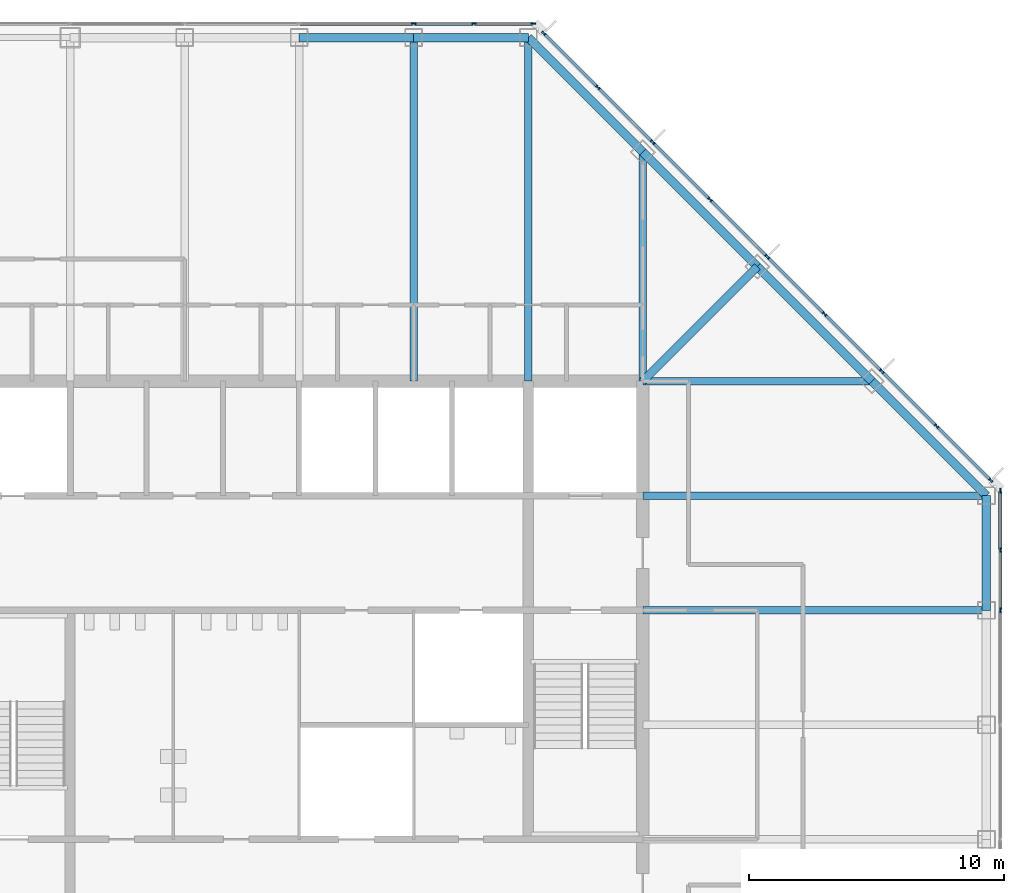
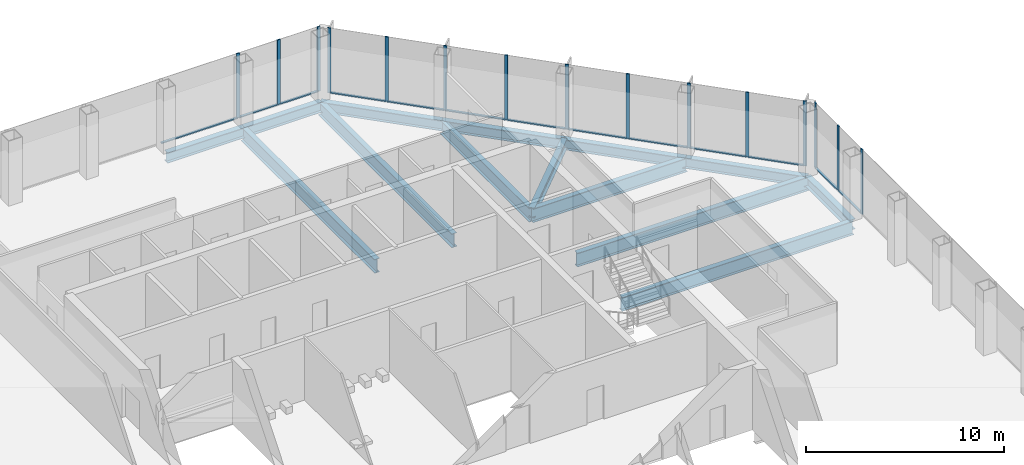
# One storey, part 6 of 12: 28 members, 14 beams, 3 elements without a shape of their own.
"""IFC4 building model written with IfcOpenShell, lengths in metres."""

import ifcopenshell
import ifcopenshell.guid

model = None  # the IFC model being written
_history = None  # IfcOwnerHistory: only IFC2X3 demands one
_inside = {}  # id of a spatial element -> (the spatial element, [elements in it])
_under = {}  # id of a project, library or spatial element -> (it, [spatial elements below it])
_declared = {}  # id of a project -> (the project, [libraries it declares])
_typed = {}  # id of a type object -> (the type object, [elements of that type])
_made_of = {}  # id of a material, layer set ... -> (it, [elements and type objects made of it])


def new_model(schema):
    """Start an empty IFC model of exactly this schema.

    Asked for "IFC4X3", IfcOpenShell would pick the latest addendum, in which some entities
    have other attributes; the version numbers below select the first issue.
    IFC2X3 requires an IfcOwnerHistory on every rooted entity: one is made here for all.
    """
    global model, _history
    if schema == "IFC4X3":
        model = ifcopenshell.file(schema_version=(4, 3, 0, 0))
    else:
        model = ifcopenshell.file(schema=schema)
    _inside.clear()
    _under.clear()
    _declared.clear()
    _typed.clear()
    _made_of.clear()
    _history = None
    if model.schema == "IFC2X3":
        org = make("IfcOrganization", Name="unknown")
        user = make(
            "IfcPersonAndOrganization",
            ThePerson=make("IfcPerson", FamilyName="unknown"),
            TheOrganization=org,
        )
        app = make(
            "IfcApplication",
            ApplicationDeveloper=org,
            Version="unknown",
            ApplicationFullName="unknown",
            ApplicationIdentifier="unknown",
        )
        _history = make(
            "IfcOwnerHistory",
            OwningUser=user,
            OwningApplication=app,
            ChangeAction="ADDED",
            CreationDate=0,
        )
    return model


def make(cls, **values):
    """One entity of the class cls with the attributes given. An attribute that is None is left unset."""
    return model.create_entity(
        cls, **{name: value for name, value in values.items() if value is not None}
    )


def rooted(cls, **values):
    """An entity with a GlobalId (a new one), such as an element, a storey or a relation."""
    return make(cls, GlobalId=ifcopenshell.guid.new(), OwnerHistory=_history, **values)


def si_unit(unit_type, name, prefix=None):
    """IfcSIUnit, for example si_unit("LENGTHUNIT", "METRE", prefix="MILLI")."""
    return make("IfcSIUnit", UnitType=unit_type, Prefix=prefix, Name=name)


def assignment(units):
    """IfcUnitAssignment: the units of a project."""
    return None if units is None else make("IfcUnitAssignment", Units=units)


def point(xyz):
    """IfcCartesianPoint."""
    return None if xyz is None else make("IfcCartesianPoint", Coordinates=xyz)


def direction(xyz):
    """IfcDirection."""
    return None if xyz is None else make("IfcDirection", DirectionRatios=xyz)


def frame(location, z_axis=None, x_axis=None):
    """IfcAxis2Placement3D, a coordinate frame: its origin and axes. An axis left out is left unset."""
    return make(
        "IfcAxis2Placement3D",
        Location=point(location),
        Axis=direction(z_axis),
        RefDirection=direction(x_axis),
    )


def frame_2d(location, x_axis=None):
    """IfcAxis2Placement2D, a coordinate frame in the plane: its origin and x axis."""
    return make(
        "IfcAxis2Placement2D", Location=point(location), RefDirection=direction(x_axis)
    )


def origin():
    """The frame at (0, 0, 0) with its axes left unset."""
    return frame((0.0, 0.0, 0.0))


def origin_2d():
    """The frame at (0, 0) in the plane with its x axis left unset."""
    return frame_2d((0.0, 0.0))


def place(relative_to, where):
    """IfcLocalPlacement: puts the frame where relative to a parent placement (None: the world)."""
    return make(
        "IfcLocalPlacement", PlacementRelTo=relative_to, RelativePlacement=where
    )


def context(
    kind, dimensions, precision=None, world=None, true_north=None, identifier=None
):
    """IfcGeometricRepresentationContext, for example the 3D "Model" context."""
    return make(
        "IfcGeometricRepresentationContext",
        ContextIdentifier=identifier,
        ContextType=kind,
        CoordinateSpaceDimension=dimensions,
        Precision=precision,
        WorldCoordinateSystem=world,
        TrueNorth=true_north,
    )


def subcontext(parent, identifier, kind, view, scale=None):
    """IfcGeometricRepresentationSubContext, for example "Body" below "Model"."""
    return make(
        "IfcGeometricRepresentationSubContext",
        ContextIdentifier=identifier,
        ContextType=kind,
        ParentContext=parent,
        TargetScale=scale,
        TargetView=view,
    )


def project(units=None, contexts=None):
    """IfcProject with its units and contexts."""
    return rooted(
        "IfcProject",
        Name="project",
        RepresentationContexts=contexts,
        UnitsInContext=assignment(units),
    )


def spatial(cls, under=None, at=None, **own):
    """A site, building, storey or space (cls), placed at a placement, below another one or the project."""
    s = rooted(cls, ObjectPlacement=at, **own)
    if under is not None:
        _under.setdefault(under.id(), (under, []))[1].append(s)
    return s


def profile(cls, at=None, kind="AREA", **sizes):
    """A parametric profile (cls). Its sizes go by their IFC names, for example OverallWidth=200.0."""
    return make(cls, ProfileType=kind, Position=at, **sizes)


def rectangle(**sizes):
    """IfcRectangleProfileDef."""
    return profile("IfcRectangleProfileDef", **sizes)


def i_section(**sizes):
    """IfcIShapeProfileDef."""
    return profile("IfcIShapeProfileDef", **sizes)


def extrude(swept, where, along, depth):
    """IfcExtrudedAreaSolid: the profile swept, set in the frame where, extruded along a direction by depth."""
    return make(
        "IfcExtrudedAreaSolid",
        SweptArea=swept,
        Position=where,
        ExtrudedDirection=direction(along),
        Depth=depth,
    )


def shape(context_of_items, identifier, shape_type, items):
    """IfcShapeRepresentation: the items that make up one representation, for example the "Body"."""
    return make(
        "IfcShapeRepresentation",
        ContextOfItems=context_of_items,
        RepresentationIdentifier=identifier,
        RepresentationType=shape_type,
        Items=items,
    )


def material(Name=None, Category=None):
    """IfcMaterial."""
    return make("IfcMaterial", Name=Name, Category=Category)


def material_profile(
    of_material, cross_section, Name=None, Category=None, Priority=None
):
    """IfcMaterialProfile: a cross section and its material."""
    return make(
        "IfcMaterialProfile",
        Name=Name,
        Material=of_material,
        Profile=cross_section,
        Priority=Priority,
        Category=Category,
    )


def profile_set(profiles, Name=None, composite=None):
    """IfcMaterialProfileSet."""
    return make(
        "IfcMaterialProfileSet",
        Name=Name,
        MaterialProfiles=profiles,
        CompositeProfile=composite,
    )


def made_of(thing, what):
    """Note that an element or type object is made of a material, layer set ...; save() writes the relation."""
    if what is not None:
        _made_of.setdefault(what.id(), (what, []))[1].append(thing)
    return thing


def type_object(cls, material=None, **own):
    """A type object (cls), such as IfcWallType, which elements share."""
    return made_of(rooted(cls, **own), material)


def element(
    cls,
    number,
    at=None,
    inside=None,
    cuts=None,
    type_object=None,
    material=None,
    context=None,
    identifier="Body",
    shape_type=None,
    held_by="IfcProductDefinitionShape",
    body=None,
    shapes=None,
    **own,
):
    """One element of the class cls, such as IfcWall. Its Tag is "e" and its number.

    at: its placement. inside: the storey or other place that contains it. cuts: it is an
    opening in that element (IfcRelVoidsElement). A single representation is given by context,
    identifier, shape_type and body (its items); several are given by shapes. held_by: the class
    of the entity that holds the representations. save() writes the other relations.
    """
    e = rooted(cls, Tag="e%d" % number, ObjectPlacement=at, **own)
    if body is not None:
        shapes = [shape(context, identifier, shape_type, body)]
    if shapes is not None:
        e.Representation = make(held_by, Representations=shapes)
    if inside is not None:
        _inside.setdefault(inside.id(), (inside, []))[1].append(e)
    if cuts is not None:
        rooted(
            "IfcRelVoidsElement", RelatingBuildingElement=cuts, RelatedOpeningElement=e
        )
    if type_object is not None:
        _typed.setdefault(type_object.id(), (type_object, []))[1].append(e)
    return made_of(e, material)


def aggregate(whole, parts):
    """IfcRelAggregates: a whole, such as a stair, and the parts it consists of."""
    return rooted("IfcRelAggregates", RelatingObject=whole, RelatedObjects=parts)


def save(model, path):
    """Write the relations noted so far, then the file.

    IfcRelAggregates (storeys below a building ...), IfcRelContainedInSpatialStructure (elements
    in a storey), IfcRelDefinesByType, IfcRelAssociatesMaterial and IfcRelDeclares: one each for
    every whole, place, type object, material and project.
    """
    for whole, parts in _under.values():
        aggregate(whole, parts)
    for where, things in _inside.values():
        rooted(
            "IfcRelContainedInSpatialStructure",
            RelatedElements=things,
            RelatingStructure=where,
        )
    for kind, things in _typed.values():
        rooted("IfcRelDefinesByType", RelatedObjects=things, RelatingType=kind)
    for what, things in _made_of.values():
        rooted("IfcRelAssociatesMaterial", RelatedObjects=things, RelatingMaterial=what)
    for by, libraries in _declared.values():
        rooted("IfcRelDeclares", RelatingContext=by, RelatedDefinitions=libraries)
    model.write(path)


model = new_model("IFC4")

# Units and contexts
model_context = context("Model", 3, precision=1e-05, world=origin(), true_north=direction((0.0, 1.0)))
body_context = subcontext(model_context, "Body", "Model", "MODEL_VIEW")
ifc_project = project(units=[si_unit("LENGTHUNIT", "METRE"), si_unit("AREAUNIT", "SQUARE_METRE"), si_unit("VOLUMEUNIT", "CUBIC_METRE"), si_unit("PLANEANGLEUNIT", "RADIAN"), si_unit("MASSUNIT", "GRAM", prefix="KILO")], contexts=[model_context])

# Site, building, storey
site_placement = place(None, origin())
site = spatial("IfcSite", under=ifc_project, at=site_placement, CompositionType="ELEMENT")
building_placement = place(site_placement, origin())
building = spatial("IfcBuilding", under=site, at=building_placement, Name="Corais Broadcast Tower", CompositionType="ELEMENT")
storey_placement = place(building_placement, frame((0.0, 0.0, 159.60009765625)))
storey = spatial("IfcBuildingStorey", under=building, at=storey_placement, Name="L36", CompositionType="ELEMENT", Elevation=159.60009765625)

# Beams
ifc_material_1 = material(Name="Steel ASTM A572 Grade 50", Category="steel")
ifc_material_profile_1 = material_profile(ifc_material_1, i_section(OverallWidth=0.323974609375, OverallDepth=0.611083984375, WebThickness=0.0126953125, FlangeThickness=0.01904296875, at=origin_2d()), Name="W610x155")
ifc_profile_set_1 = profile_set([ifc_material_profile_1], Name="Steel ASTM A572 Grade 50")
beam_type_1 = type_object("IfcBeamType", Name="Corner diagonal W610x155", PredefinedType="BEAM", material=ifc_profile_set_1)
beam_1_placement = place(storey_placement, frame((45.0, 45.0, -0.465576171875), z_axis=(-0.707106781187, -0.707106781187, 0.0), x_axis=(0.707106781187, -0.707106781187, 0.0)))
element("IfcBeam", 1, at=beam_1_placement, inside=storey, type_object=beam_type_1, Name="B6 L/13 to K/12", PredefinedType="BEAM", context=body_context, shape_type="SweptSolid", body=[
    extrude(i_section(OverallWidth=0.323974609375, OverallDepth=0.611083984375, WebThickness=0.0126953125, FlangeThickness=0.01904296875, at=origin_2d()), origin(), (0.0, 0.0, 1.0), 6.364013671875),
])
ifc_material_2 = material(Name="Steel ASTM A572 Grade 50", Category="steel")
ifc_material_profile_2 = material_profile(ifc_material_2, i_section(OverallWidth=0.2939453125, OverallDepth=0.85107421875, WebThickness=0.01611328125, FlangeThickness=0.02685546875, at=origin_2d()), Name="W840x226")
ifc_profile_set_2 = profile_set([ifc_material_profile_2], Name="Steel ASTM A572 Grade 50")
beam_type_2 = type_object("IfcBeamType", Name="Floor beam W840x226", PredefinedType="BEAM", material=ifc_profile_set_2)
for number, where, z_axis, x_axis, name in (
    (2, (31.5, 54.0, -0.585693359375), (0.0, -1.0, 0.0), (1.0, 0.0, 0.0), "B1 N/10 to K/10"),
    (3, (36.0, 54.0, -0.585693359375), (0.0, -1.0, 0.0), (1.0, 0.0, 0.0), "B1 N/11 to K/11"),
):
    element("IfcBeam", number, at=place(storey_placement, frame(where, z_axis=z_axis, x_axis=x_axis)), inside=storey, type_object=beam_type_2, Name=name, PredefinedType="BEAM", context=body_context, shape_type="SweptSolid", body=[
        extrude(i_section(OverallWidth=0.2939453125, OverallDepth=0.85107421875, WebThickness=0.01611328125, FlangeThickness=0.02685546875, at=origin_2d()), origin(), (0.0, 0.0, 1.0), 13.5),
    ])
for number, where, z_axis, x_axis, name in (
    (4, (40.5, 49.5, -0.585693359375), (0.0, -1.0, 0.0), (1.0, 0.0, 0.0), "B1 M/12 to K/12"),
    (5, (49.5, 40.5, -0.585693359375), (-1.0, 0.0, 0.0), (0.0, -1.0, 0.0), "B1 K/14 to K/12"),
):
    element("IfcBeam", number, at=place(storey_placement, frame(where, z_axis=z_axis, x_axis=x_axis)), inside=storey, type_object=beam_type_2, Name=name, PredefinedType="BEAM", context=body_context, shape_type="SweptSolid", body=[
        extrude(i_section(OverallWidth=0.2939453125, OverallDepth=0.85107421875, WebThickness=0.01611328125, FlangeThickness=0.02685546875, at=origin_2d()), origin(), (0.0, 0.0, 1.0), 9.0),
    ])
for number, where, z_axis, x_axis, name in (
    (6, (54.0, 31.5, -0.585693359375), (-1.0, 0.0, 0.0), (0.0, -1.0, 0.0), "B1 H/15 to H/12"),
    (7, (54.0, 36.0, -0.585693359375), (-1.0, 0.0, 0.0), (0.0, -1.0, 0.0), "B1 J/15 to J/12"),
):
    element("IfcBeam", number, at=place(storey_placement, frame(where, z_axis=z_axis, x_axis=x_axis)), inside=storey, type_object=beam_type_2, Name=name, PredefinedType="BEAM", context=body_context, shape_type="SweptSolid", body=[
        extrude(i_section(OverallWidth=0.2939453125, OverallDepth=0.85107421875, WebThickness=0.01611328125, FlangeThickness=0.02685546875, at=origin_2d()), origin(), (0.0, 0.0, 1.0), 13.5),
    ])

# Curtain wall, members
ifc_material_3 = material(Name="Aluminium and glass", Category="aluminium")
curtain_wall_type = type_object("IfcCurtainWallType", Name="Unitised fritted curtain wall CW2", PredefinedType="NOTDEFINED", material=ifc_material_3)
curtain_wall_1_placement = place(storey_placement, origin())
curtain_wall_1 = element("IfcCurtainWall", 8, at=curtain_wall_1_placement, inside=storey, type_object=curtain_wall_type, Name="CW2 curtain wall L36 4", PredefinedType="NOTDEFINED")
ifc_material_4 = material(Name="Aluminium 6063-T6", Category="aluminium")
ifc_material_profile_3 = material_profile(ifc_material_4, rectangle(XDim=0.06494140625, YDim=0.179931640625, at=origin_2d()), Name="Mullion CW2 65x180")
ifc_profile_set_3 = profile_set([ifc_material_profile_3], Name="Aluminium 6063-T6")
member_type_1 = type_object("IfcMemberType", Name="Mullion CW2 65x180", PredefinedType="MULLION", material=ifc_profile_set_3)
member_1_placement = place(storey_placement, frame((31.5, 54.550048828125, 0.0), z_axis=(0.0, 0.0, 1.0), x_axis=(0.0, 1.0, 0.0)))
member_1 = element("IfcMember", 9, at=member_1_placement, type_object=member_type_1, Name="CW2 mullion 7", PredefinedType="MULLION", context=body_context, shape_type="SweptSolid", body=[
    extrude(rectangle(XDim=0.06494140625, YDim=0.179931640625, at=origin_2d()), origin(), (0.0, 0.0, 1.0), 4.0),
])
member_2_placement = place(storey_placement, frame((33.864013671875, 54.550048828125, 0.0), z_axis=(0.0, 0.0, 1.0), x_axis=(0.0, 1.0, 0.0)))
member_2 = element("IfcMember", 10, at=member_2_placement, type_object=member_type_1, Name="CW2 mullion 8", PredefinedType="MULLION", context=body_context, shape_type="SweptSolid", body=[
    extrude(rectangle(XDim=0.06494140625, YDim=0.179931640625, at=origin_2d()), origin(), (0.0, 0.0, 1.0), 4.0),
])
member_3_placement = place(storey_placement, frame((36.1953125, 54.550048828125, 0.0), z_axis=(0.0, 0.0, 1.0), x_axis=(0.0, 1.0, 0.0)))
member_3 = element("IfcMember", 11, at=member_3_placement, type_object=member_type_1, Name="CW2 mullion 9", PredefinedType="MULLION", context=body_context, shape_type="SweptSolid", body=[
    extrude(rectangle(XDim=0.06494140625, YDim=0.179931640625, at=origin_2d()), origin(), (0.0, 0.0, 1.0), 4.0),
])

curtain_wall_2_placement = place(storey_placement, origin())
curtain_wall_2 = element("IfcCurtainWall", 12, at=curtain_wall_2_placement, inside=storey, type_object=curtain_wall_type, Name="CW2 curtain wall L36 5", PredefinedType="NOTDEFINED")
member_4_placement = place(storey_placement, frame((36.6044921875, 54.17333984375, 0.0), z_axis=(0.0, 0.0, 1.0), x_axis=(0.707106781187, 0.707106781187, 0.0)))
member_4 = element("IfcMember", 13, at=member_4_placement, type_object=member_type_1, Name="CW2 mullion 1", PredefinedType="MULLION", context=body_context, shape_type="SweptSolid", body=[
    extrude(rectangle(XDim=0.06494140625, YDim=0.179931640625, at=origin_2d()), origin(), (0.0, 0.0, 1.0), 4.0),
])
member_5_placement = place(storey_placement, frame((38.735107421875, 52.042724609375, 0.0), z_axis=(0.0, 0.0, 1.0), x_axis=(0.707106781187, 0.707106781187, 0.0)))
member_5 = element("IfcMember", 14, at=member_5_placement, type_object=member_type_1, Name="CW2 mullion 2", PredefinedType="MULLION", context=body_context, shape_type="SweptSolid", body=[
    extrude(rectangle(XDim=0.06494140625, YDim=0.179931640625, at=origin_2d()), origin(), (0.0, 0.0, 1.0), 4.0),
])
member_6_placement = place(storey_placement, frame((40.888916015625, 49.888916015625, 0.0), z_axis=(0.0, 0.0, 1.0), x_axis=(0.707106781187, 0.707106781187, 0.0)))
member_6 = element("IfcMember", 15, at=member_6_placement, type_object=member_type_1, Name="CW2 mullion 3", PredefinedType="MULLION", context=body_context, shape_type="SweptSolid", body=[
    extrude(rectangle(XDim=0.06494140625, YDim=0.179931640625, at=origin_2d()), origin(), (0.0, 0.0, 1.0), 4.0),
])
member_7_placement = place(storey_placement, frame((43.138916015625, 47.638916015625, 0.0), z_axis=(0.0, 0.0, 1.0), x_axis=(0.707106781187, 0.707106781187, 0.0)))
member_7 = element("IfcMember", 16, at=member_7_placement, type_object=member_type_1, Name="CW2 mullion 4", PredefinedType="MULLION", context=body_context, shape_type="SweptSolid", body=[
    extrude(rectangle(XDim=0.06494140625, YDim=0.179931640625, at=origin_2d()), origin(), (0.0, 0.0, 1.0), 4.0),
])
member_8_placement = place(storey_placement, frame((45.388916015625, 45.388916015625, 0.0), z_axis=(0.0, 0.0, 1.0), x_axis=(0.707106781187, 0.707106781187, 0.0)))
member_8 = element("IfcMember", 17, at=member_8_placement, type_object=member_type_1, Name="CW2 mullion 5", PredefinedType="MULLION", context=body_context, shape_type="SweptSolid", body=[
    extrude(rectangle(XDim=0.06494140625, YDim=0.179931640625, at=origin_2d()), origin(), (0.0, 0.0, 1.0), 4.0),
])
member_9_placement = place(storey_placement, frame((47.638916015625, 43.138916015625, 0.0), z_axis=(0.0, 0.0, 1.0), x_axis=(0.707106781187, 0.707106781187, 0.0)))
member_9 = element("IfcMember", 18, at=member_9_placement, type_object=member_type_1, Name="CW2 mullion 6", PredefinedType="MULLION", context=body_context, shape_type="SweptSolid", body=[
    extrude(rectangle(XDim=0.06494140625, YDim=0.179931640625, at=origin_2d()), origin(), (0.0, 0.0, 1.0), 4.0),
])
member_10_placement = place(storey_placement, frame((49.888916015625, 40.888916015625, 0.0), z_axis=(0.0, 0.0, 1.0), x_axis=(0.707106781187, 0.707106781187, 0.0)))
member_10 = element("IfcMember", 19, at=member_10_placement, type_object=member_type_1, Name="CW2 mullion 7", PredefinedType="MULLION", context=body_context, shape_type="SweptSolid", body=[
    extrude(rectangle(XDim=0.06494140625, YDim=0.179931640625, at=origin_2d()), origin(), (0.0, 0.0, 1.0), 4.0),
])
member_11_placement = place(storey_placement, frame((52.042724609375, 38.735107421875, 0.0), z_axis=(0.0, 0.0, 1.0), x_axis=(0.707106781187, 0.707106781187, 0.0)))
member_11 = element("IfcMember", 20, at=member_11_placement, type_object=member_type_1, Name="CW2 mullion 8", PredefinedType="MULLION", context=body_context, shape_type="SweptSolid", body=[
    extrude(rectangle(XDim=0.06494140625, YDim=0.179931640625, at=origin_2d()), origin(), (0.0, 0.0, 1.0), 4.0),
])
member_12_placement = place(storey_placement, frame((54.17333984375, 36.6044921875, 0.0), z_axis=(0.0, 0.0, 1.0), x_axis=(0.707106781187, 0.707106781187, 0.0)))
member_12 = element("IfcMember", 21, at=member_12_placement, type_object=member_type_1, Name="CW2 mullion 9", PredefinedType="MULLION", context=body_context, shape_type="SweptSolid", body=[
    extrude(rectangle(XDim=0.06494140625, YDim=0.179931640625, at=origin_2d()), origin(), (0.0, 0.0, 1.0), 4.0),
])

curtain_wall_3_placement = place(storey_placement, origin())
curtain_wall_3 = element("IfcCurtainWall", 22, at=curtain_wall_3_placement, inside=storey, type_object=curtain_wall_type, Name="CW2 curtain wall L36 6", PredefinedType="NOTDEFINED")
member_13_placement = place(storey_placement, frame((54.550048828125, 36.1953125, 0.0), z_axis=(0.0, 0.0, 1.0), x_axis=(1.0, 0.0, 0.0)))
member_13 = element("IfcMember", 23, at=member_13_placement, type_object=member_type_1, Name="CW2 mullion 1", PredefinedType="MULLION", context=body_context, shape_type="SweptSolid", body=[
    extrude(rectangle(XDim=0.06494140625, YDim=0.179931640625, at=origin_2d()), origin(), (0.0, 0.0, 1.0), 4.0),
])
member_14_placement = place(storey_placement, frame((54.550048828125, 33.864013671875, 0.0), z_axis=(0.0, 0.0, 1.0), x_axis=(1.0, 0.0, 0.0)))
member_14 = element("IfcMember", 24, at=member_14_placement, type_object=member_type_1, Name="CW2 mullion 2", PredefinedType="MULLION", context=body_context, shape_type="SweptSolid", body=[
    extrude(rectangle(XDim=0.06494140625, YDim=0.179931640625, at=origin_2d()), origin(), (0.0, 0.0, 1.0), 4.0),
])
member_15_placement = place(storey_placement, frame((54.550048828125, 31.5, 0.0), z_axis=(0.0, 0.0, 1.0), x_axis=(1.0, 0.0, 0.0)))
member_15 = element("IfcMember", 25, at=member_15_placement, type_object=member_type_1, Name="CW2 mullion 3", PredefinedType="MULLION", context=body_context, shape_type="SweptSolid", body=[
    extrude(rectangle(XDim=0.06494140625, YDim=0.179931640625, at=origin_2d()), origin(), (0.0, 0.0, 1.0), 4.0),
])

# Beams
ifc_material_5 = material(Name="Steel ASTM A572 Grade 50", Category="steel")
ifc_material_profile_4 = material_profile(ifc_material_5, i_section(OverallWidth=0.3291015625, OverallDepth=0.635009765625, WebThickness=0.017822265625, FlangeThickness=0.031005859375, at=origin_2d()), Name="W610x241")
ifc_profile_set_4 = profile_set([ifc_material_profile_4], Name="Steel ASTM A572 Grade 50")
beam_type_3 = type_object("IfcBeamType", Name="Spandrel W610x241", PredefinedType="BEAM", material=ifc_profile_set_4)
for number, where, z_axis, x_axis, name in (
    (26, (31.5, 54.0, -0.4775390625), (-1.0, 0.0, 0.0), (0.0, -1.0, 0.0), "SB1 N/10 to N/9"),
    (27, (36.0, 54.0, -0.4775390625), (-1.0, 0.0, 0.0), (0.0, -1.0, 0.0), "SB1 N/11 to N/10"),
):
    element("IfcBeam", number, at=place(storey_placement, frame(where, z_axis=z_axis, x_axis=x_axis)), inside=storey, type_object=beam_type_3, Name=name, PredefinedType="BEAM", context=body_context, shape_type="SweptSolid", body=[
        extrude(i_section(OverallWidth=0.3291015625, OverallDepth=0.635009765625, WebThickness=0.017822265625, FlangeThickness=0.031005859375, at=origin_2d()), origin(), (0.0, 0.0, 1.0), 4.5),
    ])
for number, where, z_axis, x_axis, name in (
    (28, (40.5, 49.5, -0.4775390625), (-0.707106781187, 0.707106781187, 0.0), (-0.707106781187, -0.707106781187, 0.0), "SB1 M/12 to N/11"),
    (29, (45.0, 45.0, -0.4775390625), (-0.707106781187, 0.707106781187, 0.0), (-0.707106781187, -0.707106781187, 0.0), "SB1 L/13 to M/12"),
    (30, (49.5, 40.5, -0.4775390625), (-0.707106781187, 0.707106781187, 0.0), (-0.707106781187, -0.707106781187, 0.0), "SB1 K/14 to L/13"),
):
    element("IfcBeam", number, at=place(storey_placement, frame(where, z_axis=z_axis, x_axis=x_axis)), inside=storey, type_object=beam_type_3, Name=name, PredefinedType="BEAM", context=body_context, shape_type="SweptSolid", body=[
        extrude(i_section(OverallWidth=0.3291015625, OverallDepth=0.635009765625, WebThickness=0.017822265625, FlangeThickness=0.031005859375, at=origin_2d()), origin(), (0.0, 0.0, 1.0), 6.364013671875),
    ])
beam_2_placement = place(storey_placement, frame((54.0, 31.5, -0.4775390625), z_axis=(0.0, 1.0, 0.0), x_axis=(-1.0, 0.0, 0.0)))
element("IfcBeam", 31, at=beam_2_placement, inside=storey, type_object=beam_type_3, Name="SB1 H/15 to J/15", PredefinedType="BEAM", context=body_context, shape_type="SweptSolid", body=[
    extrude(i_section(OverallWidth=0.3291015625, OverallDepth=0.635009765625, WebThickness=0.017822265625, FlangeThickness=0.031005859375, at=origin_2d()), origin(), (0.0, 0.0, 1.0), 4.5),
])
beam_3_placement = place(storey_placement, frame((54.0, 36.0, -0.4775390625), z_axis=(-0.707106781187, 0.707106781187, 0.0), x_axis=(-0.707106781187, -0.707106781187, 0.0)))
element("IfcBeam", 32, at=beam_3_placement, inside=storey, type_object=beam_type_3, Name="SB1 J/15 to K/14", PredefinedType="BEAM", context=body_context, shape_type="SweptSolid", body=[
    extrude(i_section(OverallWidth=0.3291015625, OverallDepth=0.635009765625, WebThickness=0.017822265625, FlangeThickness=0.031005859375, at=origin_2d()), origin(), (0.0, 0.0, 1.0), 6.364013671875),
])

# Member
ifc_material_6 = material(Name="Aluminium 6063-T6", Category="aluminium")
ifc_material_profile_5 = material_profile(ifc_material_6, rectangle(XDim=0.1298828125, YDim=0.06494140625, at=origin_2d()), Name="Transom CW2 65x130")
ifc_profile_set_5 = profile_set([ifc_material_profile_5], Name="Aluminium 6063-T6")
member_type_2 = type_object("IfcMemberType", Name="Transom CW2 65x130", PredefinedType="USERDEFINED", material=ifc_profile_set_5)
member_16_placement = place(storey_placement, frame((27.032470703125, 54.550048828125, 0.032470703125), z_axis=(1.0, 0.0, 0.0), x_axis=(0.0, 1.0, 0.0)))
member_16 = element("IfcMember", 33, at=member_16_placement, type_object=member_type_2, Name="CW2 transom 6.1", ObjectType="TRANSOM", PredefinedType="USERDEFINED", context=body_context, shape_type="SweptSolid", body=[
    extrude(rectangle(XDim=0.1298828125, YDim=0.06494140625, at=origin_2d()), origin(), (0.0, 0.0, 1.0), 4.43505859375),
])

member_17_placement = place(storey_placement, frame((31.532470703125, 54.550048828125, 0.032470703125), z_axis=(1.0, 0.0, 0.0), x_axis=(0.0, 1.0, 0.0)))
member_17 = element("IfcMember", 34, at=member_17_placement, type_object=member_type_2, Name="CW2 transom 7.1", ObjectType="TRANSOM", PredefinedType="USERDEFINED", context=body_context, shape_type="SweptSolid", body=[
    extrude(rectangle(XDim=0.1298828125, YDim=0.06494140625, at=origin_2d()), origin(), (0.0, 0.0, 1.0), 2.298828125),
])

member_18_placement = place(storey_placement, frame((33.896484375, 54.550048828125, 0.032470703125), z_axis=(1.0, 0.0, 0.0), x_axis=(0.0, 1.0, 0.0)))
member_18 = element("IfcMember", 35, at=member_18_placement, type_object=member_type_2, Name="CW2 transom 8.1", ObjectType="TRANSOM", PredefinedType="USERDEFINED", context=body_context, shape_type="SweptSolid", body=[
    extrude(rectangle(XDim=0.1298828125, YDim=0.06494140625, at=origin_2d()), origin(), (0.0, 0.0, 1.0), 2.266357421875),
])

aggregate(curtain_wall_1, [member_1, member_2, member_3, member_16, member_17, member_18])

member_19_placement = place(storey_placement, frame((36.62744140625, 54.150390625, 0.032470703125), z_axis=(0.707106781187, -0.707106781187, 0.0), x_axis=(0.707106781187, 0.707106781187, 0.0)))
member_19 = element("IfcMember", 36, at=member_19_placement, type_object=member_type_2, Name="CW2 transom 1.1", ObjectType="TRANSOM", PredefinedType="USERDEFINED", context=body_context, shape_type="SweptSolid", body=[
    extrude(rectangle(XDim=0.1298828125, YDim=0.06494140625, at=origin_2d()), origin(), (0.0, 0.0, 1.0), 2.9482421875),
])

member_20_placement = place(storey_placement, frame((38.758056640625, 52.019775390625, 0.032470703125), z_axis=(0.707106781187, -0.707106781187, 0.0), x_axis=(0.707106781187, 0.707106781187, 0.0)))
member_20 = element("IfcMember", 37, at=member_20_placement, type_object=member_type_2, Name="CW2 transom 2.1", ObjectType="TRANSOM", PredefinedType="USERDEFINED", context=body_context, shape_type="SweptSolid", body=[
    extrude(rectangle(XDim=0.1298828125, YDim=0.06494140625, at=origin_2d()), origin(), (0.0, 0.0, 1.0), 2.98095703125),
])

member_21_placement = place(storey_placement, frame((40.911865234375, 49.865966796875, 0.032470703125), z_axis=(0.707106781187, -0.707106781187, 0.0), x_axis=(0.707106781187, 0.707106781187, 0.0)))
member_21 = element("IfcMember", 38, at=member_21_placement, type_object=member_type_2, Name="CW2 transom 3.1", ObjectType="TRANSOM", PredefinedType="USERDEFINED", context=body_context, shape_type="SweptSolid", body=[
    extrude(rectangle(XDim=0.1298828125, YDim=0.06494140625, at=origin_2d()), origin(), (0.0, 0.0, 1.0), 3.1171875),
])

member_22_placement = place(storey_placement, frame((43.161865234375, 47.615966796875, 0.032470703125), z_axis=(0.707106781187, -0.707106781187, 0.0), x_axis=(0.707106781187, 0.707106781187, 0.0)))
member_22 = element("IfcMember", 39, at=member_22_placement, type_object=member_type_2, Name="CW2 transom 4.1", ObjectType="TRANSOM", PredefinedType="USERDEFINED", context=body_context, shape_type="SweptSolid", body=[
    extrude(rectangle(XDim=0.1298828125, YDim=0.06494140625, at=origin_2d()), origin(), (0.0, 0.0, 1.0), 3.1171875),
])

member_23_placement = place(storey_placement, frame((45.411865234375, 45.365966796875, 0.032470703125), z_axis=(0.707106781187, -0.707106781187, 0.0), x_axis=(0.707106781187, 0.707106781187, 0.0)))
member_23 = element("IfcMember", 40, at=member_23_placement, type_object=member_type_2, Name="CW2 transom 5.1", ObjectType="TRANSOM", PredefinedType="USERDEFINED", context=body_context, shape_type="SweptSolid", body=[
    extrude(rectangle(XDim=0.1298828125, YDim=0.06494140625, at=origin_2d()), origin(), (0.0, 0.0, 1.0), 3.1171875),
])

member_24_placement = place(storey_placement, frame((47.661865234375, 43.115966796875, 0.032470703125), z_axis=(0.707106781187, -0.707106781187, 0.0), x_axis=(0.707106781187, 0.707106781187, 0.0)))
member_24 = element("IfcMember", 41, at=member_24_placement, type_object=member_type_2, Name="CW2 transom 6.1", ObjectType="TRANSOM", PredefinedType="USERDEFINED", context=body_context, shape_type="SweptSolid", body=[
    extrude(rectangle(XDim=0.1298828125, YDim=0.06494140625, at=origin_2d()), origin(), (0.0, 0.0, 1.0), 3.1171875),
])

member_25_placement = place(storey_placement, frame((49.911865234375, 40.865966796875, 0.032470703125), z_axis=(0.707065828661, -0.70714773134, 0.0), x_axis=(0.70714773134, 0.707065828661, 0.0)))
member_25 = element("IfcMember", 42, at=member_25_placement, type_object=member_type_2, Name="CW2 transom 7.1", ObjectType="TRANSOM", PredefinedType="USERDEFINED", context=body_context, shape_type="SweptSolid", body=[
    extrude(rectangle(XDim=0.1298828125, YDim=0.06494140625, at=origin_2d()), origin(), (0.0, 0.0, 1.0), 2.98095703125),
])

member_26_placement = place(storey_placement, frame((52.065673828125, 38.712158203125, 0.032470703125), z_axis=(0.707106781187, -0.707106781187, 0.0), x_axis=(0.707106781187, 0.707106781187, 0.0)))
member_26 = element("IfcMember", 43, at=member_26_placement, type_object=member_type_2, Name="CW2 transom 8.1", ObjectType="TRANSOM", PredefinedType="USERDEFINED", context=body_context, shape_type="SweptSolid", body=[
    extrude(rectangle(XDim=0.1298828125, YDim=0.06494140625, at=origin_2d()), origin(), (0.0, 0.0, 1.0), 2.9482421875),
])

aggregate(curtain_wall_2, [member_4, member_5, member_6, member_7, member_8, member_9, member_10, member_11, member_12, member_19, member_20, member_21, member_22, member_23, member_24, member_25, member_26])

member_27_placement = place(storey_placement, frame((54.550048828125, 36.162841796875, 0.032470703125), z_axis=(0.0, -1.0, 0.0), x_axis=(1.0, 0.0, 0.0)))
member_27 = element("IfcMember", 44, at=member_27_placement, type_object=member_type_2, Name="CW2 transom 1.1", ObjectType="TRANSOM", PredefinedType="USERDEFINED", context=body_context, shape_type="SweptSolid", body=[
    extrude(rectangle(XDim=0.1298828125, YDim=0.06494140625, at=origin_2d()), origin(), (0.0, 0.0, 1.0), 2.266357421875),
])

member_28_placement = place(storey_placement, frame((54.550048828125, 33.831298828125, 0.032470703125), z_axis=(0.0, -1.0, 0.0), x_axis=(1.0, 0.0, 0.0)))
member_28 = element("IfcMember", 45, at=member_28_placement, type_object=member_type_2, Name="CW2 transom 2.1", ObjectType="TRANSOM", PredefinedType="USERDEFINED", context=body_context, shape_type="SweptSolid", body=[
    extrude(rectangle(XDim=0.1298828125, YDim=0.06494140625, at=origin_2d()), origin(), (0.0, 0.0, 1.0), 2.298828125),
])

aggregate(curtain_wall_3, [member_13, member_14, member_15, member_27, member_28])

save(model, "model.ifc")
